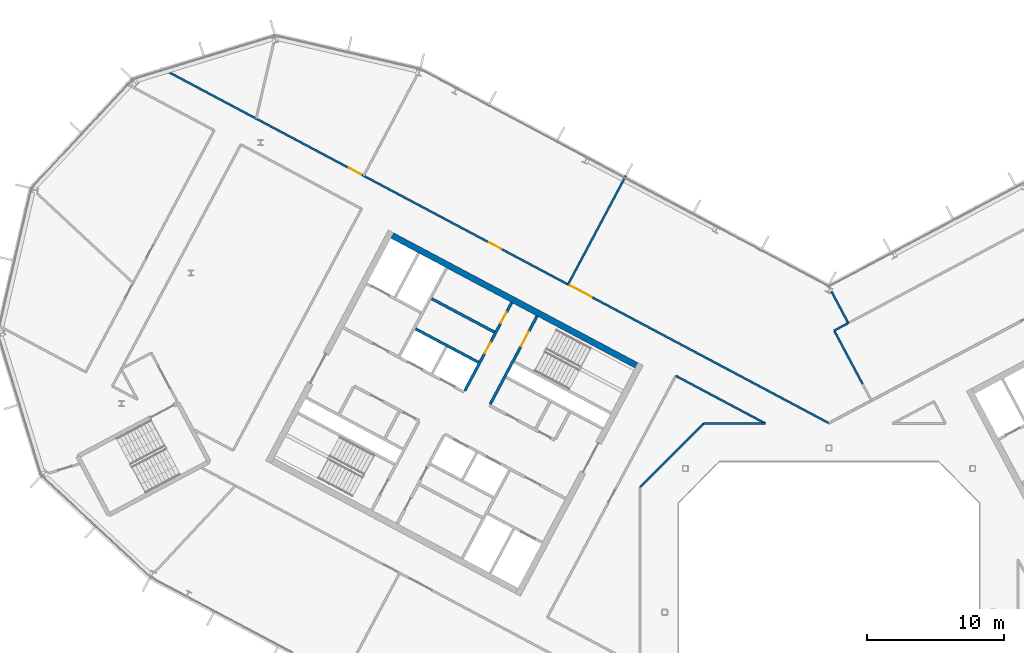
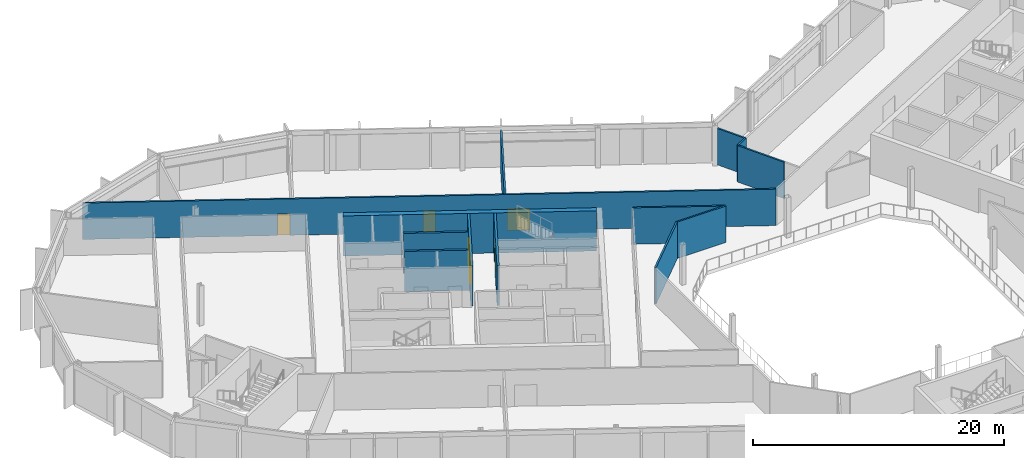
# One storey, part 15 of 26: 13 walls, 6 doors, 6 openings.
"""IFC4 building model written with IfcOpenShell, lengths in metres."""

from ifc_helpers import new_model, si_unit, direction, frame, frame_2d, origin, place, context, subcontext, project, spatial, rectangle, extrude, material, layer, layer_set, type_object, element, fill, save


model = new_model("IFC4")

# Units and contexts
model_context = context("Model", 3, precision=1e-05, world=origin(), true_north=direction((0.0, 1.0)))
body_context = subcontext(model_context, "Body", "Model", "MODEL_VIEW")
ifc_project = project(units=[si_unit("LENGTHUNIT", "METRE"), si_unit("AREAUNIT", "SQUARE_METRE"), si_unit("VOLUMEUNIT", "CUBIC_METRE"), si_unit("PLANEANGLEUNIT", "RADIAN"), si_unit("MASSUNIT", "GRAM", prefix="KILO")], contexts=[model_context])

# Site, building, storey
site_placement = place(None, origin())
site = spatial("IfcSite", under=ifc_project, at=site_placement, CompositionType="ELEMENT")
building_placement = place(site_placement, origin())
building = spatial("IfcBuilding", under=site, at=building_placement, Name="Cormorant Relay Tower", CompositionType="ELEMENT")
storey_placement = place(building_placement, frame((0.0, 0.0, 277.5)))
storey = spatial("IfcBuildingStorey", under=building, at=storey_placement, Name="L62", CompositionType="ELEMENT", Elevation=277.5)

# Wall
ifc_material_1 = material(Name="Concrete 40 MPa", Category="concrete")
ifc_layer_1 = layer(ifc_material_1, 0.199951171875)
ifc_layer_set_1 = layer_set([ifc_layer_1], Name="Core internal wall 200")
wall_type_1 = type_object("IfcWallType", Name="Core internal wall 200", PredefinedType="SOLIDWALL", material=ifc_layer_set_1)
wall_1_placement = place(storey_placement, frame((-24.449462890625, 20.474853515625, 0.0), z_axis=(0.0, 0.0, 1.0), x_axis=(-0.882934506056, 0.469496174655, 0.0)))
element("IfcWall", 1, at=wall_1_placement, inside=storey, type_object=wall_type_1, Name="L62 core A shaft and room wall", PredefinedType="SOLIDWALL", context=body_context, shape_type="SweptSolid", body=[
    extrude(rectangle(XDim=5.199951171875, YDim=0.199951171875, at=frame_2d((2.60009765625, 0.0))), origin(), (0.0, 0.0, 1.0), 3.89990234375),
])

# Wall, opening, door
ifc_material_2 = material(Name="Concrete 50 MPa", Category="concrete")
ifc_layer_2 = layer(ifc_material_2, 0.199951171875)
ifc_layer_set_2 = layer_set([ifc_layer_2], Name="Core shaft wall 200")
wall_type_2 = type_object("IfcWallType", Name="Core shaft wall 200", PredefinedType="SHEAR", material=ifc_layer_set_2)
wall_2_placement = place(storey_placement, frame((-21.333251953125, 21.6494140625, 0.0), z_axis=(0.0, 0.0, 1.0), x_axis=(-0.469494272526, -0.882935517501, 0.0)))
wall_2 = element("IfcWall", 2, at=wall_2_placement, inside=storey, type_object=wall_type_2, Name="L62 core A shaft wall", PredefinedType="SHEAR", context=body_context, shape_type="SweptSolid", body=[
    extrude(rectangle(XDim=7.2998046875, YDim=0.199951171875, at=frame_2d((3.64990234375, 0.0))), origin(), (0.0, 0.0, 1.0), 3.89990234375),
])
opening_1_placement = place(wall_2_placement, frame((1.300048828125, 0.0, 0.0)))
opening_1 = element("IfcOpeningElement", 3, at=opening_1_placement, cuts=wall_2, Name="Opening CDB-038", PredefinedType="OPENING", context=body_context, shape_type="SweptSolid", body=[
    extrude(rectangle(XDim=1.199951171875, YDim=2.10009765625, at=frame_2d((0.60009765625, 1.050048828125))), frame((0.0, 0.10986328125, 0.0), z_axis=(0.0, -1.0, 0.0), x_axis=(1.0, 0.0, 0.0)), (0.0, 0.0, 1.0), 0.219970703125),
])
ifc_material_3 = material(Name="Steel fire door", Category="steel")
door_type_1 = type_object("IfcDoorType", Name="Core stair door 1200x2100", OperationType="SINGLE_SWING_LEFT", PredefinedType="DOOR", material=ifc_material_3)
door_1_placement = place(opening_1_placement, origin())
door_1 = element("IfcDoor", 4, at=door_1_placement, inside=storey, type_object=door_type_1, Name="Core stair door 1200x2100", OperationType="SINGLE_SWING_RIGHT", OverallHeight=2.10009765625, OverallWidth=1.199951171875, PredefinedType="DOOR", context=body_context, shape_type="SweptSolid", body=[
    extrude(rectangle(XDim=1.199951171875, YDim=2.10009765625, at=frame_2d((0.60009765625, 1.050048828125))), frame((0.0, 0.02490234375, 0.0), z_axis=(0.0, -1.0, 0.0), x_axis=(1.0, 0.0, 0.0)), (0.0, 0.0, 1.0), 0.050048828125),
])
fill(opening_1, door_1)

# Wall, openings, doors
wall_3_placement = place(storey_placement, frame((-23.1875, 22.635498046875, 0.0), z_axis=(0.0, 0.0, 1.0), x_axis=(-0.469454336211, -0.882956752176, 0.0)))
wall_3 = element("IfcWall", 5, at=wall_3_placement, inside=storey, type_object=wall_type_2, Name="L62 core A shaft wall", PredefinedType="SHEAR", context=body_context, shape_type="SweptSolid", body=[
    extrude(rectangle(XDim=7.300048828125, YDim=0.199951171875, at=frame_2d((3.64990234375, 0.0))), origin(), (0.0, 0.0, 1.0), 3.89990234375),
])
opening_2_placement = place(wall_3_placement, frame((0.800048828125, 0.0, 0.0)))
opening_2 = element("IfcOpeningElement", 6, at=opening_2_placement, cuts=wall_3, Name="Opening CDD-281", PredefinedType="OPENING", context=body_context, shape_type="SweptSolid", body=[
    extrude(rectangle(XDim=0.89990234375, YDim=2.10009765625, at=frame_2d((0.449951171875, 1.050048828125))), frame((0.0, 0.10986328125, 0.0), z_axis=(0.0, -1.0, 0.0), x_axis=(1.0, 0.0, 0.0)), (0.0, 0.0, 1.0), 0.219970703125),
])
opening_3_placement = place(wall_3_placement, frame((3.300048828125, 0.0, 0.0)))
opening_3 = element("IfcOpeningElement", 7, at=opening_3_placement, cuts=wall_3, Name="Opening CDD-282", PredefinedType="OPENING", context=body_context, shape_type="SweptSolid", body=[
    extrude(rectangle(XDim=0.89990234375, YDim=2.10009765625, at=frame_2d((0.449951171875, 1.050048828125))), frame((0.0, 0.10986328125, 0.0), z_axis=(0.0, -1.0, 0.0), x_axis=(1.0, 0.0, 0.0)), (0.0, 0.0, 1.0), 0.219970703125),
])
ifc_material_4 = material(Name="Steel fire door", Category="steel")
door_type_2 = type_object("IfcDoorType", Name="Core room door 900x2100", OperationType="SINGLE_SWING_LEFT", PredefinedType="DOOR", material=ifc_material_4)
door_2_placement = place(opening_2_placement, origin())
door_2 = element("IfcDoor", 8, at=door_2_placement, inside=storey, type_object=door_type_2, Name="Core room door 900x2100", OperationType="SINGLE_SWING_LEFT", OverallHeight=2.10009765625, OverallWidth=0.89990234375, PredefinedType="DOOR", context=body_context, shape_type="SweptSolid", body=[
    extrude(rectangle(XDim=0.89990234375, YDim=2.10009765625, at=frame_2d((0.449951171875, 1.050048828125))), frame((0.0, 0.02490234375, 0.0), z_axis=(0.0, -1.0, 0.0), x_axis=(1.0, 0.0, 0.0)), (0.0, 0.0, 1.0), 0.050048828125),
])
fill(opening_2, door_2)
door_3_placement = place(opening_3_placement, origin())
door_3 = element("IfcDoor", 9, at=door_3_placement, inside=storey, type_object=door_type_2, Name="Core room door 900x2100", OperationType="SINGLE_SWING_LEFT", OverallHeight=2.10009765625, OverallWidth=0.89990234375, PredefinedType="DOOR", context=body_context, shape_type="SweptSolid", body=[
    extrude(rectangle(XDim=0.89990234375, YDim=2.10009765625, at=frame_2d((0.449951171875, 1.050048828125))), frame((0.0, 0.02490234375, 0.0), z_axis=(0.0, -1.0, 0.0), x_axis=(1.0, 0.0, 0.0)), (0.0, 0.0, 1.0), 0.050048828125),
])
fill(opening_3, door_3)

# Walls
wall_4_placement = place(storey_placement, frame((-25.623046875, 18.267578125, 0.0), z_axis=(0.0, 0.0, 1.0), x_axis=(-0.882953967957, 0.469459572775, 0.0)))
element("IfcWall", 10, at=wall_4_placement, inside=storey, type_object=wall_type_2, Name="L62 core A shaft wall", PredefinedType="SHEAR", context=body_context, shape_type="SweptSolid", body=[
    extrude(rectangle(XDim=5.199951171875, YDim=0.199951171875, at=frame_2d((2.60009765625, 0.0))), origin(), (0.0, 0.0, 1.0), 3.89990234375),
])
ifc_material_5 = material(Name="Concrete 50 MPa", Category="concrete")
ifc_layer_3 = layer(ifc_material_5, 0.449951171875)
ifc_layer_set_3 = layer_set([ifc_layer_3], Name="Core wall 450")
wall_type_3 = type_object("IfcWallType", Name="Core wall 450", PredefinedType="SHEAR", material=ifc_layer_set_3)
wall_5_placement = place(storey_placement, frame((-14.07568359375, 18.04541015625, 0.0), z_axis=(0.0, 0.0, 1.0), x_axis=(-0.882947755831, 0.46947125628, 0.0)))
element("IfcWall", 11, at=wall_5_placement, inside=storey, type_object=wall_type_3, Name="L62 core A wall", PredefinedType="SHEAR", context=body_context, shape_type="SweptSolid", body=[
    extrude(rectangle(XDim=20.2001953125, YDim=0.449951171875, at=frame_2d((10.10009765625, 0.0))), origin(), (0.0, 0.0, 1.0), 3.89990234375),
])

# Wall, openings, doors
ifc_material_6 = material(Name="Gypsum board fire partition")
ifc_layer_4 = layer(ifc_material_6, 0.14990234375)
ifc_layer_set_4 = layer_set([ifc_layer_4], Name="Corridor partition 150 EI 60")
wall_type_4 = type_object("IfcWallType", Name="Corridor partition 150 EI 60", PredefinedType="PARTITIONING", material=ifc_layer_set_4)
wall_6_placement = place(storey_placement, frame((-48.81201171875, 39.77099609375, 0.0), z_axis=(0.0, 0.0, 1.0), x_axis=(0.882945384259, -0.469475716535, 0.0)))
wall_6 = element("IfcWall", 12, at=wall_6_placement, inside=storey, type_object=wall_type_4, Name="wall/L62/part/008", PredefinedType="PARTITIONING", context=body_context, shape_type="SweptSolid", body=[
    extrude(rectangle(XDim=55.283203125, YDim=0.14990234375, at=frame_2d((27.6416015625, 0.0))), origin(), (0.0, 0.0, 1.0), 3.5400390625),
])
opening_4_placement = place(wall_6_placement, frame((33.85009765625, 0.0, 0.0)))
opening_4 = element("IfcOpeningElement", 13, at=opening_4_placement, cuts=wall_6, Name="Opening DD-039", PredefinedType="OPENING", context=body_context, shape_type="SweptSolid", body=[
    extrude(rectangle(XDim=1.800048828125, YDim=2.10009765625, at=frame_2d((0.89990234375, 1.050048828125))), frame((0.0, 0.0849609375, 0.0), z_axis=(0.0, -1.0, 0.0), x_axis=(1.0, 0.0, 0.0)), (0.0, 0.0, 1.0), 0.169921875),
])
opening_5_placement = place(wall_6_placement, frame((27.14990234375, 0.0, 0.0)))
opening_5 = element("IfcOpeningElement", 14, at=opening_5_placement, cuts=wall_6, Name="Opening DS-162", PredefinedType="OPENING", context=body_context, shape_type="SweptSolid", body=[
    extrude(rectangle(XDim=1.0, YDim=2.10009765625, at=frame_2d((0.5, 1.050048828125))), frame((0.0, 0.0849609375, 0.0), z_axis=(0.0, -1.0, 0.0), x_axis=(1.0, 0.0, 0.0)), (0.0, 0.0, 1.0), 0.169921875),
])
opening_6_placement = place(wall_6_placement, frame((15.550048828125, 0.0, 0.0)))
opening_6 = element("IfcOpeningElement", 15, at=opening_6_placement, cuts=wall_6, Name="Opening DS-164", PredefinedType="OPENING", context=body_context, shape_type="SweptSolid", body=[
    extrude(rectangle(XDim=1.0, YDim=2.10009765625, at=frame_2d((0.5, 1.050048828125))), frame((0.0, 0.0849609375, 0.0), z_axis=(0.0, -1.0, 0.0), x_axis=(1.0, 0.0, 0.0)), (0.0, 0.0, 1.0), 0.169921875),
])
ifc_material_7 = material(Name="Timber door leaf", Category="wood")
door_type_3 = type_object("IfcDoorType", Name="Suite door 1000x2100", OperationType="SINGLE_SWING_LEFT", PredefinedType="DOOR", material=ifc_material_7)
door_4_placement = place(opening_5_placement, origin())
door_4 = element("IfcDoor", 16, at=door_4_placement, inside=storey, type_object=door_type_3, Name="door/L62/014", OperationType="SINGLE_SWING_RIGHT", OverallHeight=2.10009765625, OverallWidth=1.0, PredefinedType="DOOR", context=body_context, shape_type="SweptSolid", body=[
    extrude(rectangle(XDim=1.0, YDim=2.10009765625, at=frame_2d((0.5, 1.050048828125))), frame((0.0, 0.02490234375, 0.0), z_axis=(0.0, -1.0, 0.0), x_axis=(1.0, 0.0, 0.0)), (0.0, 0.0, 1.0), 0.050048828125),
])
fill(opening_5, door_4)
door_5_placement = place(opening_6_placement, origin())
door_5 = element("IfcDoor", 17, at=door_5_placement, inside=storey, type_object=door_type_3, Name="door/L62/015", OperationType="SINGLE_SWING_RIGHT", OverallHeight=2.10009765625, OverallWidth=1.0, PredefinedType="DOOR", context=body_context, shape_type="SweptSolid", body=[
    extrude(rectangle(XDim=1.0, YDim=2.10009765625, at=frame_2d((0.5, 1.050048828125))), frame((0.0, 0.02490234375, 0.0), z_axis=(0.0, -1.0, 0.0), x_axis=(1.0, 0.0, 0.0)), (0.0, 0.0, 1.0), 0.050048828125),
])
fill(opening_6, door_5)
ifc_material_8 = material(Name="Timber door leaf", Category="wood")
door_type_4 = type_object("IfcDoorType", Name="Suite double door 1800x2100", OperationType="DOUBLE_DOOR_SINGLE_SWING", PredefinedType="DOOR", material=ifc_material_8)
door_6_placement = place(opening_4_placement, origin())
door_6 = element("IfcDoor", 18, at=door_6_placement, inside=storey, type_object=door_type_4, Name="door/L62/013", OperationType="DOUBLE_DOOR_SINGLE_SWING", OverallHeight=2.10009765625, OverallWidth=1.800048828125, PredefinedType="DOOR", context=body_context, shape_type="SweptSolid", body=[
    extrude(rectangle(XDim=1.800048828125, YDim=2.10009765625, at=frame_2d((0.89990234375, 1.050048828125))), frame((0.0, 0.02490234375, 0.0), z_axis=(0.0, -1.0, 0.0), x_axis=(1.0, 0.0, 0.0)), (0.0, 0.0, 1.0), 0.050048828125),
])
fill(opening_4, door_6)

# Walls
wall_7_placement = place(storey_placement, frame((-11.197998046875, 17.280029296875, 0.0), z_axis=(0.0, 0.0, 1.0), x_axis=(0.88294849999, -0.469469856717, 0.0)))
element("IfcWall", 19, at=wall_7_placement, inside=storey, type_object=wall_type_4, Name="wall/L62/part/047", PredefinedType="PARTITIONING", context=body_context, shape_type="SweptSolid", body=[
    extrude(rectangle(XDim=7.41259765625, YDim=0.14990234375, at=frame_2d((3.706298828125, 0.0))), origin(), (0.0, 0.0, 1.0), 3.5400390625),
])
wall_8_placement = place(storey_placement, frame((-4.653076171875, 13.800048828125, 0.0), z_axis=(0.0, 0.0, 1.0), x_axis=(-1.0, 0.0, 0.0)))
element("IfcWall", 20, at=wall_8_placement, inside=storey, type_object=wall_type_4, Name="wall/L62/part/048", PredefinedType="PARTITIONING", context=body_context, shape_type="SweptSolid", body=[
    extrude(rectangle(XDim=4.5068359375, YDim=0.14990234375, at=frame_2d((2.25341796875, 0.0))), origin(), (0.0, 0.0, 1.0), 3.5400390625),
])
wall_9_placement = place(storey_placement, frame((-9.159912109375, 13.800048828125, 0.0), z_axis=(0.0, 0.0, 1.0), x_axis=(-0.707106781187, -0.707106781187, 0.0)))
element("IfcWall", 21, at=wall_9_placement, inside=storey, type_object=wall_type_4, Name="wall/L62/part/049", PredefinedType="PARTITIONING", context=body_context, shape_type="SweptSolid", body=[
    extrude(rectangle(XDim=6.562255859375, YDim=0.14990234375, at=frame_2d((3.28125, 0.0))), origin(), (0.0, 0.0, 1.0), 3.5400390625),
])
ifc_material_9 = material(Name="Gypsum board partition")
ifc_layer_5 = layer(ifc_material_9, 0.14990234375)
ifc_layer_set_5 = layer_set([ifc_layer_5], Name="Tenant partition 150")
wall_type_5 = type_object("IfcWallType", Name="Tenant partition 150", PredefinedType="PARTITIONING", material=ifc_layer_set_5)
wall_10_placement = place(storey_placement, frame((-14.843994140625, 31.903076171875, 0.0), z_axis=(0.0, 0.0, 1.0), x_axis=(-0.469351570135, -0.883011383625, 0.0)))
element("IfcWall", 22, at=wall_10_placement, inside=storey, type_object=wall_type_5, Name="wall/L62/part/019", PredefinedType="PARTITIONING", context=body_context, shape_type="SweptSolid", body=[
    extrude(rectangle(XDim=9.0, YDim=0.14990234375, at=frame_2d((4.5, 0.0))), origin(), (0.0, 0.0, 1.0), 3.5400390625),
])
wall_11_placement = place(storey_placement, frame((0.178955078125, 23.449951171875, 0.0), z_axis=(0.0, 0.0, 1.0), x_axis=(0.469205161074, -0.883089189619, 0.0)))
element("IfcWall", 23, at=wall_11_placement, inside=storey, type_object=wall_type_5, Name="wall/L62/part/027", PredefinedType="PARTITIONING", context=body_context, shape_type="SweptSolid", body=[
    extrude(rectangle(XDim=2.621337890625, YDim=0.14990234375, at=frame_2d((1.310546875, 0.0))), origin(), (0.0, 0.0, 1.0), 3.5400390625),
])
wall_12_placement = place(storey_placement, frame((2.450927734375, 16.69091796875, 0.0), z_axis=(0.0, 0.0, 1.0), x_axis=(-0.469465268903, 0.882950939347, 0.0)))
element("IfcWall", 24, at=wall_12_placement, inside=storey, type_object=wall_type_5, Name="wall/L62/part/030", PredefinedType="PARTITIONING", context=body_context, shape_type="SweptSolid", body=[
    extrude(rectangle(XDim=4.41357421875, YDim=0.14990234375, at=frame_2d((2.206787109375, 0.0))), origin(), (0.0, 0.0, 1.0), 3.5400390625),
])
wall_13_placement = place(storey_placement, frame((1.405029296875, 21.133056640625, 0.0), z_axis=(0.0, 0.0, 1.0), x_axis=(-0.882753784089, -0.469835882704, 0.0)))
element("IfcWall", 25, at=wall_13_placement, inside=storey, type_object=wall_type_5, Name="wall/L62/part/031", PredefinedType="PARTITIONING", context=body_context, shape_type="SweptSolid", body=[
    extrude(rectangle(XDim=1.162353515625, YDim=0.14990234375, at=frame_2d((0.5810546875, 0.0))), origin(), (0.0, 0.0, 1.0), 3.5400390625),
])

save(model, "model.ifc")
